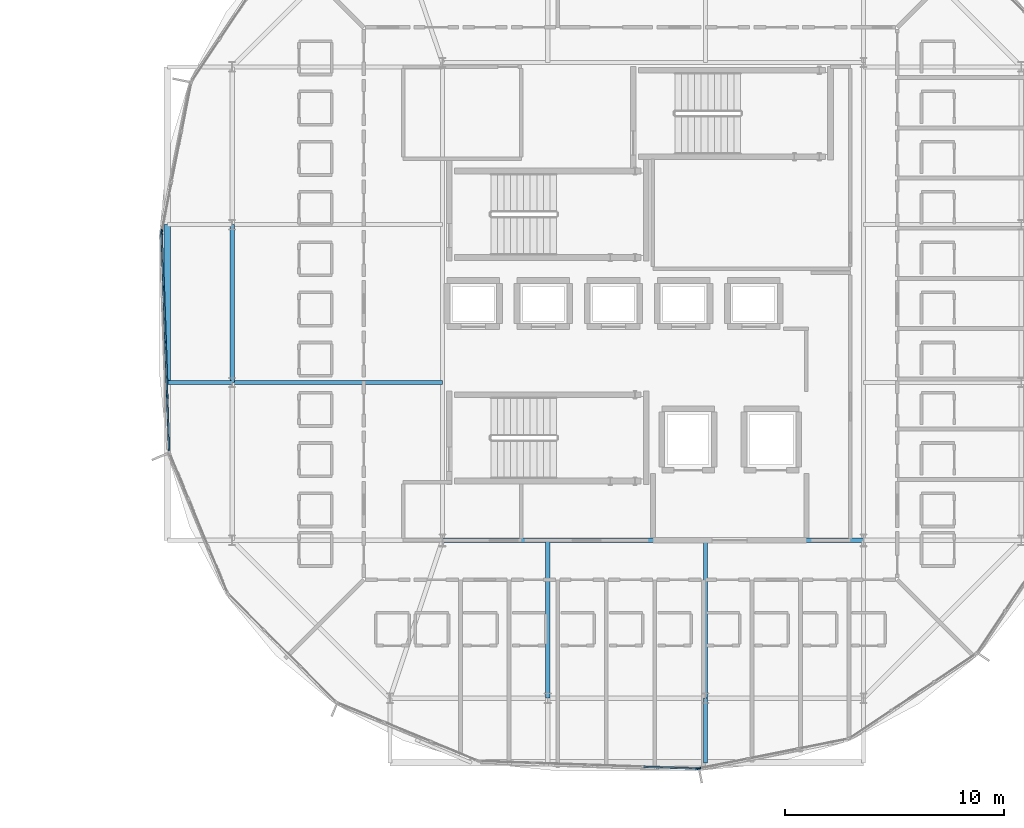
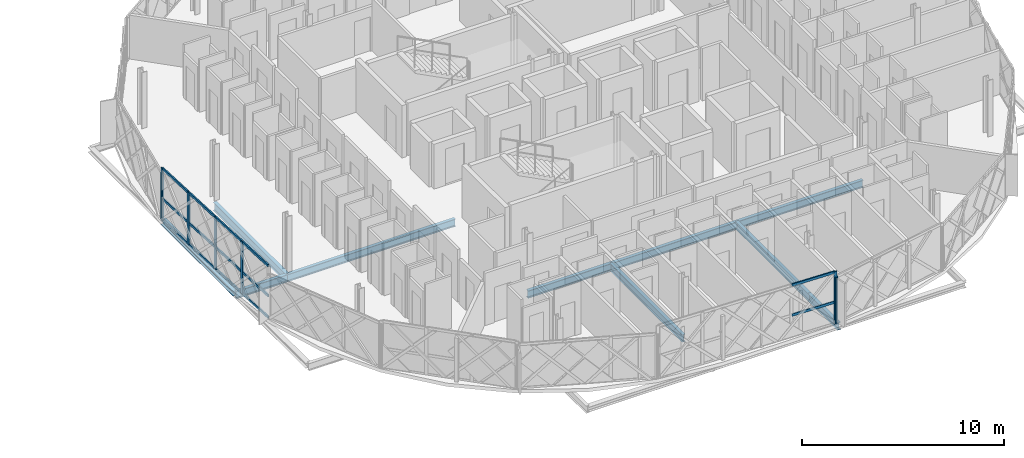
# One storey, part 6 of 25: 21 members, 8 beams, 4 elements without a shape of their own.
"""IFC4 building model written with IfcOpenShell, lengths in metres."""

from ifc_helpers import new_model, si_unit, direction, frame, origin, origin_2d, place, context, subcontext, project, spatial, rectangle, i_section, extrude, material, layer, layer_set, material_profile, profile_set, type_object, element, aggregate, save


model = new_model("IFC4")

# Units and contexts
model_context = context("Model", 3, precision=1e-05, world=origin(), true_north=direction((0.0, 1.0)))
body_context = subcontext(model_context, "Body", "Model", "MODEL_VIEW")
ifc_project = project(units=[si_unit("LENGTHUNIT", "METRE"), si_unit("AREAUNIT", "SQUARE_METRE"), si_unit("VOLUMEUNIT", "CUBIC_METRE"), si_unit("PLANEANGLEUNIT", "RADIAN"), si_unit("MASSUNIT", "GRAM", prefix="KILO")], contexts=[model_context])

# Site, building, storey
site_placement = place(None, origin())
site = spatial("IfcSite", under=ifc_project, at=site_placement, CompositionType="ELEMENT")
building_placement = place(site_placement, origin())
building = spatial("IfcBuilding", under=site, at=building_placement, Name="Zevrakil Square Congress Hotel", CompositionType="ELEMENT")
storey_placement = place(building_placement, frame((0.0, 0.0, 28.300048828125)))
storey = spatial("IfcBuildingStorey", under=building, at=storey_placement, Name="L08", CompositionType="ELEMENT", Elevation=28.300048828125)

# Beams
ifc_material_1 = material(Name="Steel S355", Category="steel")
ifc_material_profile_1 = material_profile(ifc_material_1, i_section(OverallWidth=0.18994140625, OverallDepth=0.449951171875, WebThickness=0.009521484375, FlangeThickness=0.0146484375, FilletRadius=0.02099609375, at=origin_2d()), Name="IPE 450")
ifc_profile_set_1 = profile_set([ifc_material_profile_1], Name="Steel S355")
beam_type_1 = type_object("IfcBeamType", Name="BM-IPE450", PredefinedType="BEAM", material=ifc_profile_set_1)
beam_1_placement = place(storey_placement, frame((136.800048828125, 16.800048828125, -0.43505859375), z_axis=(1.0, 0.0, 0.0), x_axis=(0.0, 1.0, 0.0)))
element("IfcBeam", 1, at=beam_1_placement, inside=storey, type_object=beam_type_1, Name="L08 drum core perimeter tie beam DCB-01", PredefinedType="BEAM", context=body_context, shape_type="SweptSolid", body=[
    extrude(i_section(OverallWidth=0.18994140625, OverallDepth=0.449951171875, WebThickness=0.009521484375, FlangeThickness=0.0146484375, FilletRadius=0.02099609375, at=origin_2d()), origin(), (0.0, 0.0, 1.0), 19.199951171875),
])
for number, where, z_axis, x_axis, name in (
    (2, (141.60009765625, 16.800048828125, -0.43505859375), (0.0, -1.0, 0.0), (1.0, 0.0, 0.0), "L08 drum radial floor beam DRI-02"),
    (3, (148.800048828125, 16.800048828125, -0.43505859375), (0.0, -1.0, 0.0), (1.0, 0.0, 0.0), "L08 drum radial floor beam DRI-03"),
):
    element("IfcBeam", number, at=place(storey_placement, frame(where, z_axis=z_axis, x_axis=x_axis)), inside=storey, type_object=beam_type_1, Name=name, PredefinedType="BEAM", context=body_context, shape_type="SweptSolid", body=[
        extrude(i_section(OverallWidth=0.18994140625, OverallDepth=0.449951171875, WebThickness=0.009521484375, FlangeThickness=0.0146484375, FilletRadius=0.02099609375, at=origin_2d()), origin(), (0.0, 0.0, 1.0), 7.199951171875),
    ])
beam_2_placement = place(storey_placement, frame((148.800048828125, 9.60009765625, -0.43505859375), z_axis=(0.0, -1.0, 0.0), x_axis=(1.0, 0.0, 0.0)))
element("IfcBeam", 4, at=beam_2_placement, inside=storey, type_object=beam_type_1, Name="L08 drum radial edge cantilever beam DRO-03", PredefinedType="BEAM", context=body_context, shape_type="SweptSolid", body=[
    extrude(i_section(OverallWidth=0.18994140625, OverallDepth=0.449951171875, WebThickness=0.009521484375, FlangeThickness=0.0146484375, FilletRadius=0.02099609375, at=origin_2d()), origin(), (0.0, 0.0, 1.0), 2.95458984375),
])
beam_3_placement = place(storey_placement, frame((136.800048828125, 24.0, -0.43505859375), z_axis=(-1.0, 0.0, 0.0), x_axis=(0.0, -1.0, 0.0)))
element("IfcBeam", 5, at=beam_3_placement, inside=storey, type_object=beam_type_1, Name="L08 drum radial floor beam DRI-15", PredefinedType="BEAM", context=body_context, shape_type="SweptSolid", body=[
    extrude(i_section(OverallWidth=0.18994140625, OverallDepth=0.449951171875, WebThickness=0.009521484375, FlangeThickness=0.0146484375, FilletRadius=0.02099609375, at=origin_2d()), origin(), (0.0, 0.0, 1.0), 9.60009765625),
])
beam_4_placement = place(storey_placement, frame((127.199951171875, 24.0, -0.43505859375), z_axis=(-1.0, 0.0, 0.0), x_axis=(0.0, -1.0, 0.0)))
element("IfcBeam", 6, at=beam_4_placement, inside=storey, type_object=beam_type_1, Name="L08 drum radial edge cantilever beam DRO-15", PredefinedType="BEAM", context=body_context, shape_type="SweptSolid", body=[
    extrude(i_section(OverallWidth=0.18994140625, OverallDepth=0.449951171875, WebThickness=0.009521484375, FlangeThickness=0.0146484375, FilletRadius=0.02099609375, at=origin_2d()), origin(), (0.0, 0.0, 1.0), 2.954345703125),
])
ifc_material_2 = material(Name="Steel S355", Category="steel")
ifc_material_profile_2 = material_profile(ifc_material_2, i_section(OverallWidth=0.199951171875, OverallDepth=0.5, WebThickness=0.01025390625, FlangeThickness=0.01611328125, FilletRadius=0.02099609375, at=origin_2d()), Name="IPE 500")
ifc_profile_set_2 = profile_set([ifc_material_profile_2], Name="Steel S355")
beam_type_2 = type_object("IfcBeamType", Name="BM-IPE500", PredefinedType="BEAM", material=ifc_profile_set_2)
beam_5_placement = place(storey_placement, frame((127.199951171875, 31.199951171875, -0.4599609375), z_axis=(0.0, -1.0, 0.0), x_axis=(1.0, 0.0, 0.0)))
element("IfcBeam", 7, at=beam_5_placement, inside=storey, type_object=beam_type_2, Name="L08 drum ring girder DRB-14", PredefinedType="BEAM", context=body_context, shape_type="SweptSolid", body=[
    extrude(i_section(OverallWidth=0.199951171875, OverallDepth=0.5, WebThickness=0.01025390625, FlangeThickness=0.01611328125, FilletRadius=0.02099609375, at=origin_2d()), origin(), (0.0, 0.0, 1.0), 7.199951171875),
])

# Curtain wall, members
ifc_material_3 = material(Name="Aluminium Anodised Bronze", Category="aluminium")
ifc_layer_1 = layer(ifc_material_3, 0.179931640625)
ifc_layer_set_1 = layer_set([ifc_layer_1], Name="Aluminium Anodised Bronze")
curtain_wall_type_1 = type_object("IfcCurtainWallType", Name="CW-L08-900", PredefinedType="USERDEFINED", material=ifc_layer_set_1)
curtain_wall_1_placement = place(storey_placement, origin())
curtain_wall_1 = element("IfcCurtainWall", 8, at=curtain_wall_1_placement, inside=storey, type_object=curtain_wall_type_1, Name="L08 diamond curtain wall CW-L08-0248", ObjectType="GLAZED CURTAIN WALL", PredefinedType="USERDEFINED")
ifc_material_4 = material(Name="Aluminium Anodised Bronze", Category="aluminium")
ifc_material_profile_3 = material_profile(ifc_material_4, rectangle(XDim=0.074951171875, YDim=0.14990234375, at=origin_2d()), Name="ALU 75x150")
ifc_profile_set_3 = profile_set([ifc_material_profile_3], Name="Aluminium Anodised Bronze")
member_type_1 = type_object("IfcMemberType", Name="CWM-ALU75x150", PredefinedType="USERDEFINED", material=ifc_profile_set_3)
member_1_placement = place(storey_placement, frame((123.987548828125, 30.799560546875, 0.030029296875), z_axis=(0.034444880763, -0.999406599032, 0.0), x_axis=(0.999406599032, 0.034444880763, 0.0)))
member_1 = element("IfcMember", 9, at=member_1_placement, type_object=member_type_1, Name="CW-96 transom 1.1", ObjectType="TRANSOM", PredefinedType="USERDEFINED", context=body_context, shape_type="SweptSolid", body=[
    extrude(rectangle(XDim=0.074951171875, YDim=0.14990234375, at=origin_2d()), origin(), (0.0, 0.0, 1.0), 2.4169921875),
])
member_2_placement = place(storey_placement, frame((123.987548828125, 30.799560546875, 1.33349609375), z_axis=(0.034444880763, -0.999406599032, 0.0), x_axis=(0.999406599032, 0.034444880763, 0.0)))
member_2 = element("IfcMember", 10, at=member_2_placement, type_object=member_type_1, Name="CW-96 transom 1.2", ObjectType="TRANSOM", PredefinedType="USERDEFINED", context=body_context, shape_type="SweptSolid", body=[
    extrude(rectangle(XDim=0.074951171875, YDim=0.14990234375, at=origin_2d()), origin(), (0.0, 0.0, 1.0), 2.4169921875),
])
member_3_placement = place(storey_placement, frame((123.987548828125, 30.799560546875, 3.14501953125), z_axis=(0.034444880763, -0.999406599032, 0.0), x_axis=(0.999406599032, 0.034444880763, 0.0)))
member_3 = element("IfcMember", 11, at=member_3_placement, type_object=member_type_1, Name="CW-96 transom 1.3", ObjectType="TRANSOM", PredefinedType="USERDEFINED", context=body_context, shape_type="SweptSolid", body=[
    extrude(rectangle(XDim=0.074951171875, YDim=0.14990234375, at=origin_2d()), origin(), (0.0, 0.0, 1.0), 2.4169921875),
])
member_4_placement = place(storey_placement, frame((124.07275390625, 28.323974609375, 0.030029296875), z_axis=(0.034424472769, -0.999407302192, 0.0), x_axis=(0.999407302192, 0.034424472769, 0.0)))
member_4 = element("IfcMember", 12, at=member_4_placement, type_object=member_type_1, Name="CW-96 transom 2.1", ObjectType="TRANSOM", PredefinedType="USERDEFINED", context=body_context, shape_type="SweptSolid", body=[
    extrude(rectangle(XDim=0.074951171875, YDim=0.14990234375, at=origin_2d()), origin(), (0.0, 0.0, 1.0), 2.44677734375),
])
member_5_placement = place(storey_placement, frame((124.07275390625, 28.323974609375, 1.33349609375), z_axis=(0.034424472769, -0.999407302192, 0.0), x_axis=(0.999407302192, 0.034424472769, 0.0)))
member_5 = element("IfcMember", 13, at=member_5_placement, type_object=member_type_1, Name="CW-96 transom 2.2", ObjectType="TRANSOM", PredefinedType="USERDEFINED", context=body_context, shape_type="SweptSolid", body=[
    extrude(rectangle(XDim=0.074951171875, YDim=0.14990234375, at=origin_2d()), origin(), (0.0, 0.0, 1.0), 2.44677734375),
])
member_6_placement = place(storey_placement, frame((124.07275390625, 28.323974609375, 3.14501953125), z_axis=(0.034424472769, -0.999407302192, 0.0), x_axis=(0.999407302192, 0.034424472769, 0.0)))
member_6 = element("IfcMember", 14, at=member_6_placement, type_object=member_type_1, Name="CW-96 transom 2.3", ObjectType="TRANSOM", PredefinedType="USERDEFINED", context=body_context, shape_type="SweptSolid", body=[
    extrude(rectangle(XDim=0.074951171875, YDim=0.14990234375, at=origin_2d()), origin(), (0.0, 0.0, 1.0), 2.44677734375),
])
member_7_placement = place(storey_placement, frame((124.158935546875, 25.818603515625, 0.030029296875), z_axis=(0.034421040236, -0.999407420419, 0.0), x_axis=(0.999407420419, 0.034421040236, 0.0)))
member_7 = element("IfcMember", 15, at=member_7_placement, type_object=member_type_1, Name="CW-96 transom 3.1", ObjectType="TRANSOM", PredefinedType="USERDEFINED", context=body_context, shape_type="SweptSolid", body=[
    extrude(rectangle(XDim=0.074951171875, YDim=0.14990234375, at=origin_2d()), origin(), (0.0, 0.0, 1.0), 2.447021484375),
])
member_8_placement = place(storey_placement, frame((124.158935546875, 25.818603515625, 1.33349609375), z_axis=(0.034421040236, -0.999407420419, 0.0), x_axis=(0.999407420419, 0.034421040236, 0.0)))
member_8 = element("IfcMember", 16, at=member_8_placement, type_object=member_type_1, Name="CW-96 transom 3.2", ObjectType="TRANSOM", PredefinedType="USERDEFINED", context=body_context, shape_type="SweptSolid", body=[
    extrude(rectangle(XDim=0.074951171875, YDim=0.14990234375, at=origin_2d()), origin(), (0.0, 0.0, 1.0), 2.447021484375),
])
member_9_placement = place(storey_placement, frame((124.158935546875, 25.818603515625, 3.14501953125), z_axis=(0.034421040236, -0.999407420419, 0.0), x_axis=(0.999407420419, 0.034421040236, 0.0)))
member_9 = element("IfcMember", 17, at=member_9_placement, type_object=member_type_1, Name="CW-96 transom 3.3", ObjectType="TRANSOM", PredefinedType="USERDEFINED", context=body_context, shape_type="SweptSolid", body=[
    extrude(rectangle(XDim=0.074951171875, YDim=0.14990234375, at=origin_2d()), origin(), (0.0, 0.0, 1.0), 2.447021484375),
])
member_10_placement = place(storey_placement, frame((124.245361328125, 23.313232421875, 0.030029296875), z_axis=(0.034343988701, -0.999410071212, 0.0), x_axis=(0.999410071212, 0.034343988701, 0.0)))
member_10 = element("IfcMember", 18, at=member_10_placement, type_object=member_type_1, Name="CW-96 transom 4.1", ObjectType="TRANSOM", PredefinedType="USERDEFINED", context=body_context, shape_type="SweptSolid", body=[
    extrude(rectangle(XDim=0.074951171875, YDim=0.14990234375, at=origin_2d()), origin(), (0.0, 0.0, 1.0), 2.4169921875),
])
member_11_placement = place(storey_placement, frame((124.245361328125, 23.313232421875, 1.33349609375), z_axis=(0.034343988701, -0.999410071212, 0.0), x_axis=(0.999410071212, 0.034343988701, 0.0)))
member_11 = element("IfcMember", 19, at=member_11_placement, type_object=member_type_1, Name="CW-96 transom 4.2", ObjectType="TRANSOM", PredefinedType="USERDEFINED", context=body_context, shape_type="SweptSolid", body=[
    extrude(rectangle(XDim=0.074951171875, YDim=0.14990234375, at=origin_2d()), origin(), (0.0, 0.0, 1.0), 2.4169921875),
])
member_12_placement = place(storey_placement, frame((124.245361328125, 23.313232421875, 3.14501953125), z_axis=(0.034343988701, -0.999410071212, 0.0), x_axis=(0.999410071212, 0.034343988701, 0.0)))
member_12 = element("IfcMember", 20, at=member_12_placement, type_object=member_type_1, Name="CW-96 transom 4.3", ObjectType="TRANSOM", PredefinedType="USERDEFINED", context=body_context, shape_type="SweptSolid", body=[
    extrude(rectangle(XDim=0.074951171875, YDim=0.14990234375, at=origin_2d()), origin(), (0.0, 0.0, 1.0), 2.4169921875),
])

curtain_wall_2_placement = place(storey_placement, origin())
curtain_wall_2 = element("IfcCurtainWall", 21, at=curtain_wall_2_placement, inside=storey, type_object=curtain_wall_type_1, Name="L08 diamond curtain wall CW-L08-0252", ObjectType="GLAZED CURTAIN WALL", PredefinedType="USERDEFINED")
member_13_placement = place(storey_placement, frame((145.984130859375, 6.470703125, 1.33349609375), z_axis=(0.999406479169, -0.034448358374, 0.0), x_axis=(0.034448358374, 0.999406479169, 0.0)))
member_13 = element("IfcMember", 22, at=member_13_placement, type_object=member_type_1, Name="CW-96 transom 4.2", ObjectType="TRANSOM", PredefinedType="USERDEFINED", context=body_context, shape_type="SweptSolid", body=[
    extrude(rectangle(XDim=0.074951171875, YDim=0.14990234375, at=origin_2d()), origin(), (0.0, 0.0, 1.0), 2.416748046875),
])
member_14_placement = place(storey_placement, frame((145.984130859375, 6.470703125, 3.14501953125), z_axis=(0.999406479169, -0.034448358374, 0.0), x_axis=(0.034448358374, 0.999406479169, 0.0)))
member_14 = element("IfcMember", 23, at=member_14_placement, type_object=member_type_1, Name="CW-96 transom 4.3", ObjectType="TRANSOM", PredefinedType="USERDEFINED", context=body_context, shape_type="SweptSolid", body=[
    extrude(rectangle(XDim=0.074951171875, YDim=0.14990234375, at=origin_2d()), origin(), (0.0, 0.0, 1.0), 2.416748046875),
])

# Curtain wall, member
ifc_material_5 = material(Name="Aluminium Anodised Bronze", Category="aluminium")
ifc_layer_2 = layer(ifc_material_5, 0.179931640625)
ifc_layer_set_2 = layer_set([ifc_layer_2], Name="Aluminium Anodised Bronze")
curtain_wall_type_2 = type_object("IfcCurtainWallType", Name="CW-L08-720", PredefinedType="USERDEFINED", material=ifc_layer_set_2)
curtain_wall_3_placement = place(storey_placement, origin())
curtain_wall_3 = element("IfcCurtainWall", 24, at=curtain_wall_3_placement, inside=storey, type_object=curtain_wall_type_2, Name="L08 diamond curtain wall CW-L08-0235", ObjectType="GLAZED CURTAIN WALL", PredefinedType="USERDEFINED")
ifc_material_6 = material(Name="Aluminium Anodised Bronze", Category="aluminium")
ifc_material_profile_4 = material_profile(ifc_material_6, rectangle(XDim=0.074951171875, YDim=0.179931640625, at=origin_2d()), Name="ALU 75x180")
ifc_profile_set_4 = profile_set([ifc_material_profile_4], Name="Aluminium Anodised Bronze")
member_type_2 = type_object("IfcMemberType", Name="CWM-ALU75x180", PredefinedType="MULLION", material=ifc_profile_set_4)
member_15_placement = place(storey_placement, frame((148.489013671875, 6.391357421875, 0.0), z_axis=(0.0, 0.0, 1.0), x_axis=(-0.195083900459, 0.980786557708, 0.0)))
member_15 = element("IfcMember", 25, at=member_15_placement, type_object=member_type_2, Name="CW-94 mullion 1", PredefinedType="MULLION", context=body_context, shape_type="SweptSolid", body=[
    extrude(rectangle(XDim=0.074951171875, YDim=0.179931640625, at=origin_2d()), origin(), (0.0, 0.0, 1.0), 2.85986328125),
])
aggregate(curtain_wall_3, [member_15])

curtain_wall_4_placement = place(storey_placement, origin())
curtain_wall_4 = element("IfcCurtainWall", 26, at=curtain_wall_4_placement, inside=storey, type_object=curtain_wall_type_2, Name="L08 diamond curtain wall CW-L08-0247", ObjectType="GLAZED CURTAIN WALL", PredefinedType="USERDEFINED")
member_16_placement = place(storey_placement, frame((123.991455078125, 30.888916015625, 0.0), z_axis=(0.0, 0.0, 1.0), x_axis=(0.980786557708, -0.195083900459, 0.0)))
member_16 = element("IfcMember", 27, at=member_16_placement, type_object=member_type_2, Name="CW-94 mullion 4", PredefinedType="MULLION", context=body_context, shape_type="SweptSolid", body=[
    extrude(rectangle(XDim=0.074951171875, YDim=0.179931640625, at=origin_2d()), origin(), (0.0, 0.0, 1.0), 2.85986328125),
])
aggregate(curtain_wall_4, [member_16])

# Member
member_17_placement = place(storey_placement, frame((123.986572265625, 30.82958984375, 0.0), z_axis=(0.0, 0.0, 1.0), x_axis=(0.999407987418, 0.034404573593, 0.0)))
member_17 = element("IfcMember", 28, at=member_17_placement, type_object=member_type_2, Name="CW-96 mullion 1", PredefinedType="MULLION", context=body_context, shape_type="SweptSolid", body=[
    extrude(rectangle(XDim=0.074951171875, YDim=0.179931640625, at=origin_2d()), origin(), (0.0, 0.0, 1.0), 3.175048828125),
])

member_18_placement = place(storey_placement, frame((124.07177734375, 28.35400390625, 0.0), z_axis=(0.0, 0.0, 1.0), x_axis=(0.999407987418, 0.034404573593, 0.0)))
member_18 = element("IfcMember", 29, at=member_18_placement, type_object=member_type_2, Name="CW-96 mullion 2", PredefinedType="MULLION", context=body_context, shape_type="SweptSolid", body=[
    extrude(rectangle(XDim=0.074951171875, YDim=0.179931640625, at=origin_2d()), origin(), (0.0, 0.0, 1.0), 3.175048828125),
])

member_19_placement = place(storey_placement, frame((124.157958984375, 25.8486328125, 0.0), z_axis=(0.0, 0.0, 1.0), x_axis=(0.999407987418, 0.034404573593, 0.0)))
member_19 = element("IfcMember", 30, at=member_19_placement, type_object=member_type_2, Name="CW-96 mullion 3", PredefinedType="MULLION", context=body_context, shape_type="SweptSolid", body=[
    extrude(rectangle(XDim=0.074951171875, YDim=0.179931640625, at=origin_2d()), origin(), (0.0, 0.0, 1.0), 3.175048828125),
])

member_20_placement = place(storey_placement, frame((124.244140625, 23.34326171875, 0.0), z_axis=(0.0, 0.0, 1.0), x_axis=(0.999407987418, 0.034404573593, 0.0)))
member_20 = element("IfcMember", 31, at=member_20_placement, type_object=member_type_2, Name="CW-96 mullion 4", PredefinedType="MULLION", context=body_context, shape_type="SweptSolid", body=[
    extrude(rectangle(XDim=0.074951171875, YDim=0.179931640625, at=origin_2d()), origin(), (0.0, 0.0, 1.0), 3.175048828125),
])

aggregate(curtain_wall_1, [member_17, member_18, member_19, member_20, member_1, member_2, member_3, member_4, member_5, member_6, member_7, member_8, member_9, member_10, member_11, member_12])

member_21_placement = place(storey_placement, frame((148.429443359375, 6.386474609375, 0.0), z_axis=(0.0, 0.0, 1.0), x_axis=(0.034404573593, 0.999407987418, 0.0)))
member_21 = element("IfcMember", 32, at=member_21_placement, type_object=member_type_2, Name="CW-96 mullion 5", PredefinedType="MULLION", context=body_context, shape_type="SweptSolid", body=[
    extrude(rectangle(XDim=0.074951171875, YDim=0.179931640625, at=origin_2d()), origin(), (0.0, 0.0, 1.0), 3.175048828125),
])

aggregate(curtain_wall_2, [member_21, member_13, member_14])

# Beam
ifc_material_7 = material(Name="Steel S355", Category="steel")
ifc_material_profile_5 = material_profile(ifc_material_7, i_section(OverallWidth=0.300048828125, OverallDepth=0.300048828125, WebThickness=0.010986328125, FlangeThickness=0.01904296875, FilletRadius=0.027099609375, at=origin_2d()), Name="HEB 300")
ifc_profile_set_5 = profile_set([ifc_material_profile_5], Name="Steel S355")
beam_type_3 = type_object("IfcBeamType", Name="SPD-RHS250", PredefinedType="SPANDREL", material=ifc_profile_set_5)
beam_6_placement = place(storey_placement, frame((124.24560546875, 31.199951171875, -0.360107421875), z_axis=(0.0, -1.0, 0.0), x_axis=(1.0, 0.0, 0.0)))
element("IfcBeam", 33, at=beam_6_placement, inside=storey, type_object=beam_type_3, Name="L08 drum edge spandrel beam DSP-13", PredefinedType="SPANDREL", context=body_context, shape_type="SweptSolid", body=[
    extrude(i_section(OverallWidth=0.300048828125, OverallDepth=0.300048828125, WebThickness=0.010986328125, FlangeThickness=0.01904296875, FilletRadius=0.027099609375, at=origin_2d()), origin(), (0.0, 0.0, 1.0), 7.199951171875),
])

save(model, "model.ifc")
